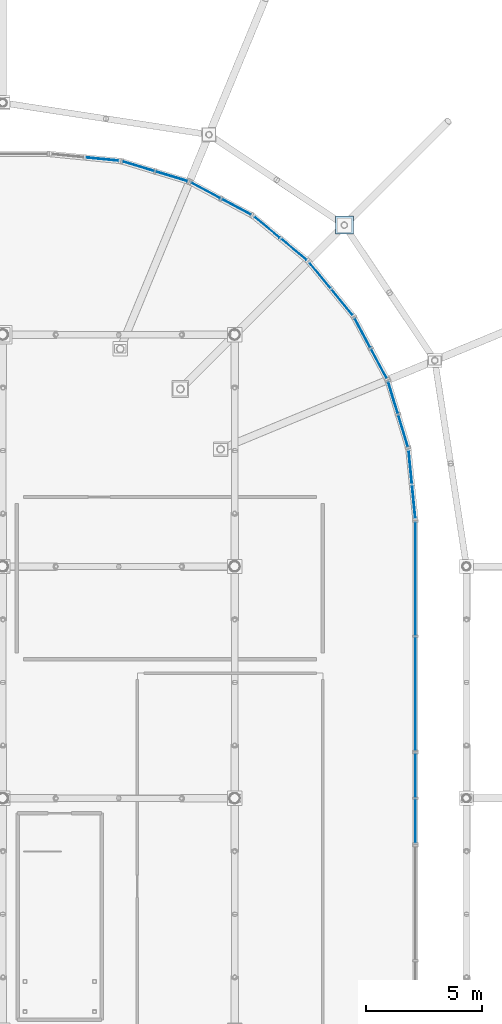
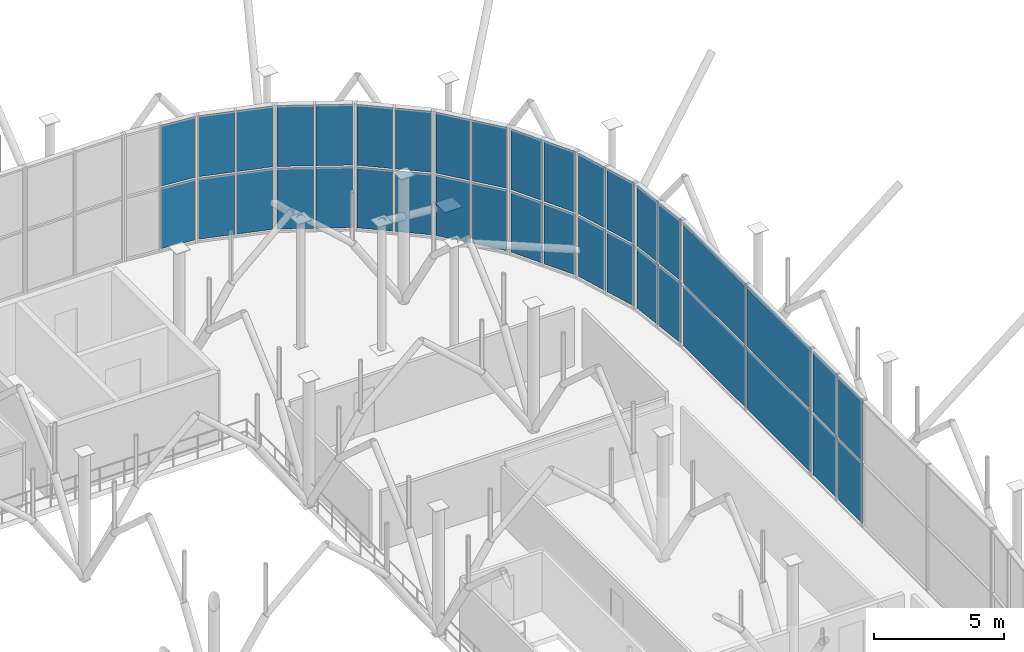
# One storey, part 91 of 109: 39 plates, 10 elements without a shape of their own.
"""IFC4 building model written with IfcOpenShell, lengths in metres."""

from ifc_helpers import new_model, si_unit, derived_unit, direction, frame, origin, origin_2d_with_axis, place, context, subcontext, project, spatial, rectangle, extrude, material, layer, layer_set, type_object, element, aggregate, save


model = new_model("IFC4")

# Units and contexts
model_context = context("Model", 3, precision=1e-05, world=origin(), true_north=direction((0.0, 1.0)))
body_context = subcontext(model_context, "Body", "Model", "MODEL_VIEW")
ifc_project = project(units=[si_unit("LENGTHUNIT", "METRE"), si_unit("AREAUNIT", "SQUARE_METRE"), si_unit("VOLUMEUNIT", "CUBIC_METRE"), si_unit("PLANEANGLEUNIT", "RADIAN"), si_unit("MASSUNIT", "GRAM", prefix="KILO"), derived_unit("THERMALTRANSMITTANCEUNIT", [(si_unit("POWERUNIT", "WATT"), 1), (si_unit("LENGTHUNIT", "METRE"), -2), (si_unit("THERMODYNAMICTEMPERATUREUNIT", "KELVIN"), -1)])], contexts=[model_context])

# Site, building, storey
site_placement = place(None, origin())
site = spatial("IfcSite", under=ifc_project, at=site_placement, CompositionType="ELEMENT")
building_placement = place(site_placement, origin())
building = spatial("IfcBuilding", under=site, at=building_placement, Name="Cinnabar Yard Market Hall", CompositionType="ELEMENT")
storey_placement = place(building_placement, frame((0.0, 0.0, 8.39990234375)))
storey = spatial("IfcBuildingStorey", under=building, at=storey_placement, Name="L02", CompositionType="ELEMENT", Elevation=8.39990234375)

# Curtain wall, plates
ifc_material_1 = material(Name="Anodised bronze aluminium curved-chord facade", Category="aluminium")
curtain_wall_type_1 = type_object("IfcCurtainWallType", Name="CW-CWC031x60", PredefinedType="NOTDEFINED", material=ifc_material_1)
curtain_wall_1_placement = place(storey_placement, origin())
curtain_wall_1 = element("IfcCurtainWall", 1, at=curtain_wall_1_placement, inside=storey, type_object=curtain_wall_type_1, Name="Corner NE Chord 1 L02", PredefinedType="NOTDEFINED")
ifc_material_2 = material(Name="Low-E laminated glass", Category="glass")
ifc_layer_1 = layer(ifc_material_2, 0.031982421875)
ifc_layer_set_1 = layer_set([ifc_layer_1], Name="Low-E laminated glass")
plate_type_1 = type_object("IfcPlateType", Name="CWP-GP141x286", PredefinedType="CURTAIN_PANEL", material=ifc_layer_set_1)
plate_1_placement = place(storey_placement, frame((163.721923828125, 56.79296875, 0.090087890625), z_axis=(0.0, 0.0, 1.0), x_axis=(-0.098020369342, 0.995184408637, 0.0)))
plate_1 = element("IfcPlate", 2, at=plate_1_placement, type_object=plate_type_1, Name="CWC031x60 panel 1.1", PredefinedType="CURTAIN_PANEL", context=body_context, shape_type="SweptSolid", body=[
    extrude(rectangle(XDim=1.41357421875, YDim=0.031982421875, at=origin_2d_with_axis()), origin(), (0.0, 0.0, 1.0), 2.85498046875),
])
plate_2_placement = place(storey_placement, frame((163.721923828125, 56.79296875, 3.03515625), z_axis=(0.0, 0.0, 1.0), x_axis=(-0.098020369342, 0.995184408637, 0.0)))
plate_2 = element("IfcPlate", 3, at=plate_2_placement, type_object=plate_type_1, Name="CWC031x60 panel 1.2", PredefinedType="CURTAIN_PANEL", context=body_context, shape_type="SweptSolid", body=[
    extrude(rectangle(XDim=1.41357421875, YDim=0.031982421875, at=origin_2d_with_axis()), origin(), (0.0, 0.0, 1.0), 2.85498046875),
])
plate_3_placement = place(storey_placement, frame((163.574462890625, 58.289306640625, 0.090087890625), z_axis=(0.0, 0.0, 1.0), x_axis=(-0.098020369342, 0.995184408637, 0.0)))
plate_3 = element("IfcPlate", 4, at=plate_3_placement, type_object=plate_type_1, Name="CWC031x60 panel 2.1", PredefinedType="CURTAIN_PANEL", context=body_context, shape_type="SweptSolid", body=[
    extrude(rectangle(XDim=1.41357421875, YDim=0.031982421875, at=origin_2d_with_axis()), origin(), (0.0, 0.0, 1.0), 2.85498046875),
])
plate_4_placement = place(storey_placement, frame((163.574462890625, 58.289306640625, 3.03515625), z_axis=(0.0, 0.0, 1.0), x_axis=(-0.098020369342, 0.995184408637, 0.0)))
plate_4 = element("IfcPlate", 5, at=plate_4_placement, type_object=plate_type_1, Name="CWC031x60 panel 2.2", PredefinedType="CURTAIN_PANEL", context=body_context, shape_type="SweptSolid", body=[
    extrude(rectangle(XDim=1.41357421875, YDim=0.031982421875, at=origin_2d_with_axis()), origin(), (0.0, 0.0, 1.0), 2.85498046875),
])
aggregate(curtain_wall_1, [plate_1, plate_2, plate_3, plate_4])

curtain_wall_2_placement = place(storey_placement, origin())
curtain_wall_2 = element("IfcCurtainWall", 6, at=curtain_wall_2_placement, inside=storey, type_object=curtain_wall_type_1, Name="Corner NE Chord 2 L02", PredefinedType="NOTDEFINED")
plate_5_placement = place(storey_placement, frame((163.26513671875, 59.844970703125, 0.090087890625), z_axis=(0.0, 0.0, 1.0), x_axis=(-0.290278891325, 0.956942090856, 0.0)))
plate_5 = element("IfcPlate", 7, at=plate_5_placement, type_object=plate_type_1, Name="CWC031x60 panel 1.1", PredefinedType="CURTAIN_PANEL", context=body_context, shape_type="SweptSolid", body=[
    extrude(rectangle(XDim=1.41357421875, YDim=0.031982421875, at=origin_2d_with_axis()), origin(), (0.0, 0.0, 1.0), 2.85498046875),
])
plate_6_placement = place(storey_placement, frame((163.26513671875, 59.844970703125, 3.03515625), z_axis=(0.0, 0.0, 1.0), x_axis=(-0.290278891325, 0.956942090856, 0.0)))
plate_6 = element("IfcPlate", 8, at=plate_6_placement, type_object=plate_type_1, Name="CWC031x60 panel 1.2", PredefinedType="CURTAIN_PANEL", context=body_context, shape_type="SweptSolid", body=[
    extrude(rectangle(XDim=1.41357421875, YDim=0.031982421875, at=origin_2d_with_axis()), origin(), (0.0, 0.0, 1.0), 2.85498046875),
])
plate_7_placement = place(storey_placement, frame((162.82861328125, 61.283935546875, 0.090087890625), z_axis=(0.0, 0.0, 1.0), x_axis=(-0.290278891325, 0.956942090856, 0.0)))
plate_7 = element("IfcPlate", 9, at=plate_7_placement, type_object=plate_type_1, Name="CWC031x60 panel 2.1", PredefinedType="CURTAIN_PANEL", context=body_context, shape_type="SweptSolid", body=[
    extrude(rectangle(XDim=1.41357421875, YDim=0.031982421875, at=origin_2d_with_axis()), origin(), (0.0, 0.0, 1.0), 2.85498046875),
])
plate_8_placement = place(storey_placement, frame((162.82861328125, 61.283935546875, 3.03515625), z_axis=(0.0, 0.0, 1.0), x_axis=(-0.290278891325, 0.956942090856, 0.0)))
plate_8 = element("IfcPlate", 10, at=plate_8_placement, type_object=plate_type_1, Name="CWC031x60 panel 2.2", PredefinedType="CURTAIN_PANEL", context=body_context, shape_type="SweptSolid", body=[
    extrude(rectangle(XDim=1.41357421875, YDim=0.031982421875, at=origin_2d_with_axis()), origin(), (0.0, 0.0, 1.0), 2.85498046875),
])
aggregate(curtain_wall_2, [plate_5, plate_6, plate_7, plate_8])

curtain_wall_3_placement = place(storey_placement, origin())
curtain_wall_3 = element("IfcCurtainWall", 11, at=curtain_wall_3_placement, inside=storey, type_object=curtain_wall_type_1, Name="Corner NE Chord 3 L02", PredefinedType="NOTDEFINED")
plate_9_placement = place(storey_placement, frame((162.2216796875, 62.7490234375, 0.090087890625), z_axis=(0.0, 0.0, 1.0), x_axis=(-0.471404114786, 0.881917320707, 0.0)))
plate_9 = element("IfcPlate", 12, at=plate_9_placement, type_object=plate_type_1, Name="CWC031x60 panel 1.1", PredefinedType="CURTAIN_PANEL", context=body_context, shape_type="SweptSolid", body=[
    extrude(rectangle(XDim=1.41357421875, YDim=0.031982421875, at=origin_2d_with_axis()), origin(), (0.0, 0.0, 1.0), 2.85498046875),
])
plate_10_placement = place(storey_placement, frame((162.2216796875, 62.7490234375, 3.03515625), z_axis=(0.0, 0.0, 1.0), x_axis=(-0.471404114786, 0.881917320707, 0.0)))
plate_10 = element("IfcPlate", 13, at=plate_10_placement, type_object=plate_type_1, Name="CWC031x60 panel 1.2", PredefinedType="CURTAIN_PANEL", context=body_context, shape_type="SweptSolid", body=[
    extrude(rectangle(XDim=1.41357421875, YDim=0.031982421875, at=origin_2d_with_axis()), origin(), (0.0, 0.0, 1.0), 2.85498046875),
])
plate_11_placement = place(storey_placement, frame((161.512939453125, 64.0751953125, 0.090087890625), z_axis=(0.0, 0.0, 1.0), x_axis=(-0.471404114786, 0.881917320707, 0.0)))
plate_11 = element("IfcPlate", 14, at=plate_11_placement, type_object=plate_type_1, Name="CWC031x60 panel 2.1", PredefinedType="CURTAIN_PANEL", context=body_context, shape_type="SweptSolid", body=[
    extrude(rectangle(XDim=1.41357421875, YDim=0.031982421875, at=origin_2d_with_axis()), origin(), (0.0, 0.0, 1.0), 2.85498046875),
])
plate_12_placement = place(storey_placement, frame((161.512939453125, 64.0751953125, 3.03515625), z_axis=(0.0, 0.0, 1.0), x_axis=(-0.471404114786, 0.881917320707, 0.0)))
plate_12 = element("IfcPlate", 15, at=plate_12_placement, type_object=plate_type_1, Name="CWC031x60 panel 2.2", PredefinedType="CURTAIN_PANEL", context=body_context, shape_type="SweptSolid", body=[
    extrude(rectangle(XDim=1.41357421875, YDim=0.031982421875, at=origin_2d_with_axis()), origin(), (0.0, 0.0, 1.0), 2.85498046875),
])
aggregate(curtain_wall_3, [plate_9, plate_10, plate_11, plate_12])

curtain_wall_4_placement = place(storey_placement, origin())
curtain_wall_4 = element("IfcCurtainWall", 16, at=curtain_wall_4_placement, inside=storey, type_object=curtain_wall_type_1, Name="Corner NE Chord 4 L02", PredefinedType="NOTDEFINED")
plate_13_placement = place(storey_placement, frame((160.631591796875, 65.39404296875, 0.090087890625), z_axis=(0.0, 0.0, 1.0), x_axis=(-0.634383400924, 0.773018564222, 0.0)))
plate_13 = element("IfcPlate", 17, at=plate_13_placement, type_object=plate_type_1, Name="CWC031x60 panel 1.1", PredefinedType="CURTAIN_PANEL", context=body_context, shape_type="SweptSolid", body=[
    extrude(rectangle(XDim=1.41357421875, YDim=0.031982421875, at=origin_2d_with_axis()), origin(), (0.0, 0.0, 1.0), 2.85498046875),
])
plate_14_placement = place(storey_placement, frame((160.631591796875, 65.39404296875, 3.03515625), z_axis=(0.0, 0.0, 1.0), x_axis=(-0.634383400924, 0.773018564222, 0.0)))
plate_14 = element("IfcPlate", 18, at=plate_14_placement, type_object=plate_type_1, Name="CWC031x60 panel 1.2", PredefinedType="CURTAIN_PANEL", context=body_context, shape_type="SweptSolid", body=[
    extrude(rectangle(XDim=1.41357421875, YDim=0.031982421875, at=origin_2d_with_axis()), origin(), (0.0, 0.0, 1.0), 2.85498046875),
])
plate_15_placement = place(storey_placement, frame((159.677734375, 66.556396484375, 0.090087890625), z_axis=(0.0, 0.0, 1.0), x_axis=(-0.634383400924, 0.773018564222, 0.0)))
plate_15 = element("IfcPlate", 19, at=plate_15_placement, type_object=plate_type_1, Name="CWC031x60 panel 2.1", PredefinedType="CURTAIN_PANEL", context=body_context, shape_type="SweptSolid", body=[
    extrude(rectangle(XDim=1.41357421875, YDim=0.031982421875, at=origin_2d_with_axis()), origin(), (0.0, 0.0, 1.0), 2.85498046875),
])
plate_16_placement = place(storey_placement, frame((159.677734375, 66.556396484375, 3.03515625), z_axis=(0.0, 0.0, 1.0), x_axis=(-0.634383400924, 0.773018564222, 0.0)))
plate_16 = element("IfcPlate", 20, at=plate_16_placement, type_object=plate_type_1, Name="CWC031x60 panel 2.2", PredefinedType="CURTAIN_PANEL", context=body_context, shape_type="SweptSolid", body=[
    extrude(rectangle(XDim=1.41357421875, YDim=0.031982421875, at=origin_2d_with_axis()), origin(), (0.0, 0.0, 1.0), 2.85498046875),
])
aggregate(curtain_wall_4, [plate_13, plate_14, plate_15, plate_16])

curtain_wall_5_placement = place(storey_placement, origin())
curtain_wall_5 = element("IfcCurtainWall", 21, at=curtain_wall_5_placement, inside=storey, type_object=curtain_wall_type_1, Name="Corner NE Chord 5 L02", PredefinedType="NOTDEFINED")
plate_17_placement = place(storey_placement, frame((158.556396484375, 67.677734375, 0.090087890625), z_axis=(0.0, 0.0, 1.0), x_axis=(-0.773018564222, 0.634383400924, 0.0)))
plate_17 = element("IfcPlate", 22, at=plate_17_placement, type_object=plate_type_1, Name="CWC031x60 panel 1.1", PredefinedType="CURTAIN_PANEL", context=body_context, shape_type="SweptSolid", body=[
    extrude(rectangle(XDim=1.41357421875, YDim=0.031982421875, at=origin_2d_with_axis()), origin(), (0.0, 0.0, 1.0), 2.85498046875),
])
plate_18_placement = place(storey_placement, frame((158.556396484375, 67.677734375, 3.03515625), z_axis=(0.0, 0.0, 1.0), x_axis=(-0.773018564222, 0.634383400924, 0.0)))
plate_18 = element("IfcPlate", 23, at=plate_18_placement, type_object=plate_type_1, Name="CWC031x60 panel 1.2", PredefinedType="CURTAIN_PANEL", context=body_context, shape_type="SweptSolid", body=[
    extrude(rectangle(XDim=1.41357421875, YDim=0.031982421875, at=origin_2d_with_axis()), origin(), (0.0, 0.0, 1.0), 2.85498046875),
])
plate_19_placement = place(storey_placement, frame((157.39404296875, 68.631591796875, 0.090087890625), z_axis=(0.0, 0.0, 1.0), x_axis=(-0.773018564222, 0.634383400924, 0.0)))
plate_19 = element("IfcPlate", 24, at=plate_19_placement, type_object=plate_type_1, Name="CWC031x60 panel 2.1", PredefinedType="CURTAIN_PANEL", context=body_context, shape_type="SweptSolid", body=[
    extrude(rectangle(XDim=1.41357421875, YDim=0.031982421875, at=origin_2d_with_axis()), origin(), (0.0, 0.0, 1.0), 2.85498046875),
])
plate_20_placement = place(storey_placement, frame((157.39404296875, 68.631591796875, 3.03515625), z_axis=(0.0, 0.0, 1.0), x_axis=(-0.773018564222, 0.634383400924, 0.0)))
plate_20 = element("IfcPlate", 25, at=plate_20_placement, type_object=plate_type_1, Name="CWC031x60 panel 2.2", PredefinedType="CURTAIN_PANEL", context=body_context, shape_type="SweptSolid", body=[
    extrude(rectangle(XDim=1.41357421875, YDim=0.031982421875, at=origin_2d_with_axis()), origin(), (0.0, 0.0, 1.0), 2.85498046875),
])
aggregate(curtain_wall_5, [plate_17, plate_18, plate_19, plate_20])

curtain_wall_6_placement = place(storey_placement, origin())
curtain_wall_6 = element("IfcCurtainWall", 26, at=curtain_wall_6_placement, inside=storey, type_object=curtain_wall_type_1, Name="Corner NE Chord 6 L02", PredefinedType="NOTDEFINED")
plate_21_placement = place(storey_placement, frame((156.0751953125, 69.512939453125, 0.090087890625), z_axis=(0.0, 0.0, 1.0), x_axis=(-0.881917320707, 0.471404114786, 0.0)))
plate_21 = element("IfcPlate", 27, at=plate_21_placement, type_object=plate_type_1, Name="CWC031x60 panel 1.1", PredefinedType="CURTAIN_PANEL", context=body_context, shape_type="SweptSolid", body=[
    extrude(rectangle(XDim=1.41357421875, YDim=0.031982421875, at=origin_2d_with_axis()), origin(), (0.0, 0.0, 1.0), 2.85498046875),
])
plate_22_placement = place(storey_placement, frame((156.0751953125, 69.512939453125, 3.03515625), z_axis=(0.0, 0.0, 1.0), x_axis=(-0.881917320707, 0.471404114786, 0.0)))
plate_22 = element("IfcPlate", 28, at=plate_22_placement, type_object=plate_type_1, Name="CWC031x60 panel 1.2", PredefinedType="CURTAIN_PANEL", context=body_context, shape_type="SweptSolid", body=[
    extrude(rectangle(XDim=1.41357421875, YDim=0.031982421875, at=origin_2d_with_axis()), origin(), (0.0, 0.0, 1.0), 2.85498046875),
])
plate_23_placement = place(storey_placement, frame((154.7490234375, 70.2216796875, 0.090087890625), z_axis=(0.0, 0.0, 1.0), x_axis=(-0.881917320707, 0.471404114786, 0.0)))
plate_23 = element("IfcPlate", 29, at=plate_23_placement, type_object=plate_type_1, Name="CWC031x60 panel 2.1", PredefinedType="CURTAIN_PANEL", context=body_context, shape_type="SweptSolid", body=[
    extrude(rectangle(XDim=1.41357421875, YDim=0.031982421875, at=origin_2d_with_axis()), origin(), (0.0, 0.0, 1.0), 2.85498046875),
])
plate_24_placement = place(storey_placement, frame((154.7490234375, 70.2216796875, 3.03515625), z_axis=(0.0, 0.0, 1.0), x_axis=(-0.881917320707, 0.471404114786, 0.0)))
plate_24 = element("IfcPlate", 30, at=plate_24_placement, type_object=plate_type_1, Name="CWC031x60 panel 2.2", PredefinedType="CURTAIN_PANEL", context=body_context, shape_type="SweptSolid", body=[
    extrude(rectangle(XDim=1.41357421875, YDim=0.031982421875, at=origin_2d_with_axis()), origin(), (0.0, 0.0, 1.0), 2.85498046875),
])
aggregate(curtain_wall_6, [plate_21, plate_22, plate_23, plate_24])

curtain_wall_7_placement = place(storey_placement, origin())
curtain_wall_7 = element("IfcCurtainWall", 31, at=curtain_wall_7_placement, inside=storey, type_object=curtain_wall_type_1, Name="Corner NE Chord 7 L02", PredefinedType="NOTDEFINED")
plate_25_placement = place(storey_placement, frame((153.283935546875, 70.82861328125, 0.090087890625), z_axis=(0.0, 0.0, 1.0), x_axis=(-0.956942090856, 0.290278891325, 0.0)))
plate_25 = element("IfcPlate", 32, at=plate_25_placement, type_object=plate_type_1, Name="CWC031x60 panel 1.1", PredefinedType="CURTAIN_PANEL", context=body_context, shape_type="SweptSolid", body=[
    extrude(rectangle(XDim=1.41357421875, YDim=0.031982421875, at=origin_2d_with_axis()), origin(), (0.0, 0.0, 1.0), 2.85498046875),
])
plate_26_placement = place(storey_placement, frame((153.283935546875, 70.82861328125, 3.03515625), z_axis=(0.0, 0.0, 1.0), x_axis=(-0.956942090856, 0.290278891325, 0.0)))
plate_26 = element("IfcPlate", 33, at=plate_26_placement, type_object=plate_type_1, Name="CWC031x60 panel 1.2", PredefinedType="CURTAIN_PANEL", context=body_context, shape_type="SweptSolid", body=[
    extrude(rectangle(XDim=1.41357421875, YDim=0.031982421875, at=origin_2d_with_axis()), origin(), (0.0, 0.0, 1.0), 2.85498046875),
])
plate_27_placement = place(storey_placement, frame((151.844970703125, 71.26513671875, 0.090087890625), z_axis=(0.0, 0.0, 1.0), x_axis=(-0.956942090856, 0.290278891325, 0.0)))
plate_27 = element("IfcPlate", 34, at=plate_27_placement, type_object=plate_type_1, Name="CWC031x60 panel 2.1", PredefinedType="CURTAIN_PANEL", context=body_context, shape_type="SweptSolid", body=[
    extrude(rectangle(XDim=1.41357421875, YDim=0.031982421875, at=origin_2d_with_axis()), origin(), (0.0, 0.0, 1.0), 2.85498046875),
])
plate_28_placement = place(storey_placement, frame((151.844970703125, 71.26513671875, 3.03515625), z_axis=(0.0, 0.0, 1.0), x_axis=(-0.956942090856, 0.290278891325, 0.0)))
plate_28 = element("IfcPlate", 35, at=plate_28_placement, type_object=plate_type_1, Name="CWC031x60 panel 2.2", PredefinedType="CURTAIN_PANEL", context=body_context, shape_type="SweptSolid", body=[
    extrude(rectangle(XDim=1.41357421875, YDim=0.031982421875, at=origin_2d_with_axis()), origin(), (0.0, 0.0, 1.0), 2.85498046875),
])
aggregate(curtain_wall_7, [plate_25, plate_26, plate_27, plate_28])

curtain_wall_8_placement = place(storey_placement, origin())
curtain_wall_8 = element("IfcCurtainWall", 36, at=curtain_wall_8_placement, inside=storey, type_object=curtain_wall_type_1, Name="Corner NE Chord 8 L02", PredefinedType="NOTDEFINED")
plate_29_placement = place(storey_placement, frame((150.289306640625, 71.574462890625, 0.090087890625), z_axis=(0.0, 0.0, 1.0), x_axis=(-0.995184408637, 0.098020369342, 0.0)))
plate_29 = element("IfcPlate", 37, at=plate_29_placement, type_object=plate_type_1, Name="CWC031x60 panel 1.1", PredefinedType="CURTAIN_PANEL", context=body_context, shape_type="SweptSolid", body=[
    extrude(rectangle(XDim=1.41357421875, YDim=0.031982421875, at=origin_2d_with_axis()), origin(), (0.0, 0.0, 1.0), 2.85498046875),
])
plate_30_placement = place(storey_placement, frame((150.289306640625, 71.574462890625, 3.03515625), z_axis=(0.0, 0.0, 1.0), x_axis=(-0.995184408637, 0.098020369342, 0.0)))
plate_30 = element("IfcPlate", 38, at=plate_30_placement, type_object=plate_type_1, Name="CWC031x60 panel 1.2", PredefinedType="CURTAIN_PANEL", context=body_context, shape_type="SweptSolid", body=[
    extrude(rectangle(XDim=1.41357421875, YDim=0.031982421875, at=origin_2d_with_axis()), origin(), (0.0, 0.0, 1.0), 2.85498046875),
])
aggregate(curtain_wall_8, [plate_29, plate_30])

ifc_material_3 = material(Name="Anodised bronze aluminium and low-E glass", Category="aluminium")
curtain_wall_type_2 = type_object("IfcCurtainWallType", Name="CW-CWH040x60", PredefinedType="NOTDEFINED", material=ifc_material_3)
curtain_wall_9_placement = place(storey_placement, origin())
curtain_wall_9 = element("IfcCurtainWall", 39, at=curtain_wall_9_placement, inside=storey, type_object=curtain_wall_type_2, Name="Market Hall East Upper Clerestory WPT", PredefinedType="NOTDEFINED")
ifc_layer_2 = layer(ifc_material_2, 0.031982421875)
ifc_layer_set_2 = layer_set([ifc_layer_2], Name="Low-E laminated glass")
plate_type_2 = type_object("IfcPlateType", Name="CWP-GP188x287", PredefinedType="CURTAIN_PANEL", material=ifc_layer_set_2)
plate_31_placement = place(storey_placement, frame((163.800048828125, 43.02001953125, 0.080078125), z_axis=(0.0, 0.0, 1.0), x_axis=(0.0, 1.0, 0.0)))
plate_31 = element("IfcPlate", 40, at=plate_31_placement, type_object=plate_type_2, Name="CWH040x60 panel 1.1", PredefinedType="CURTAIN_PANEL", context=body_context, shape_type="SweptSolid", body=[
    extrude(rectangle(XDim=1.8798828125, YDim=0.031982421875, at=origin_2d_with_axis()), origin(), (0.0, 0.0, 1.0), 2.8701171875),
])
plate_32_placement = place(storey_placement, frame((163.800048828125, 43.02001953125, 3.030029296875), z_axis=(0.0, 0.0, 1.0), x_axis=(0.0, 1.0, 0.0)))
plate_32 = element("IfcPlate", 41, at=plate_32_placement, type_object=plate_type_2, Name="CWH040x60 panel 1.2", PredefinedType="CURTAIN_PANEL", context=body_context, shape_type="SweptSolid", body=[
    extrude(rectangle(XDim=1.8798828125, YDim=0.031982421875, at=origin_2d_with_axis()), origin(), (0.0, 0.0, 1.0), 2.8701171875),
])
plate_33_placement = place(storey_placement, frame((163.800048828125, 44.97998046875, 0.080078125), z_axis=(0.0, 0.0, 1.0), x_axis=(0.0, 1.0, 0.0)))
plate_33 = element("IfcPlate", 42, at=plate_33_placement, type_object=plate_type_2, Name="CWH040x60 panel 2.1", PredefinedType="CURTAIN_PANEL", context=body_context, shape_type="SweptSolid", body=[
    extrude(rectangle(XDim=1.8798828125, YDim=0.031982421875, at=origin_2d_with_axis()), origin(), (0.0, 0.0, 1.0), 2.8701171875),
])
plate_34_placement = place(storey_placement, frame((163.800048828125, 44.97998046875, 3.030029296875), z_axis=(0.0, 0.0, 1.0), x_axis=(0.0, 1.0, 0.0)))
plate_34 = element("IfcPlate", 43, at=plate_34_placement, type_object=plate_type_2, Name="CWH040x60 panel 2.2", PredefinedType="CURTAIN_PANEL", context=body_context, shape_type="SweptSolid", body=[
    extrude(rectangle(XDim=1.8798828125, YDim=0.031982421875, at=origin_2d_with_axis()), origin(), (0.0, 0.0, 1.0), 2.8701171875),
])
aggregate(curtain_wall_9, [plate_31, plate_32, plate_33, plate_34])

curtain_wall_type_3 = type_object("IfcCurtainWallType", Name="CW-CWH100x60", PredefinedType="NOTDEFINED", material=ifc_material_3)
curtain_wall_10_placement = place(storey_placement, origin())
curtain_wall_10 = element("IfcCurtainWall", 44, at=curtain_wall_10_placement, inside=storey, type_object=curtain_wall_type_3, Name="Market Hall East Upper Clerestory W2", PredefinedType="NOTDEFINED")
ifc_layer_3 = layer(ifc_material_2, 0.031982421875)
ifc_layer_set_3 = layer_set([ifc_layer_3], Name="Low-E laminated glass")
plate_type_3 = type_object("IfcPlateType", Name="CWP-GP488x287", PredefinedType="CURTAIN_PANEL", material=ifc_layer_set_3)
plate_35_placement = place(storey_placement, frame((163.800048828125, 48.52001953125, 0.080078125), z_axis=(0.0, 0.0, 1.0), x_axis=(0.0, 1.0, 0.0)))
plate_35 = element("IfcPlate", 45, at=plate_35_placement, type_object=plate_type_3, Name="CWH100x60 panel 1.1", PredefinedType="CURTAIN_PANEL", context=body_context, shape_type="SweptSolid", body=[
    extrude(rectangle(XDim=4.8798828125, YDim=0.031982421875, at=origin_2d_with_axis()), origin(), (0.0, 0.0, 1.0), 2.8701171875),
])
plate_36_placement = place(storey_placement, frame((163.800048828125, 48.52001953125, 3.030029296875), z_axis=(0.0, 0.0, 1.0), x_axis=(0.0, 1.0, 0.0)))
plate_36 = element("IfcPlate", 46, at=plate_36_placement, type_object=plate_type_3, Name="CWH100x60 panel 1.2", PredefinedType="CURTAIN_PANEL", context=body_context, shape_type="SweptSolid", body=[
    extrude(rectangle(XDim=4.8798828125, YDim=0.031982421875, at=origin_2d_with_axis()), origin(), (0.0, 0.0, 1.0), 2.8701171875),
])
plate_37_placement = place(storey_placement, frame((163.800048828125, 53.47998046875, 0.080078125), z_axis=(0.0, 0.0, 1.0), x_axis=(0.0, 1.0, 0.0)))
plate_37 = element("IfcPlate", 47, at=plate_37_placement, type_object=plate_type_3, Name="CWH100x60 panel 2.1", PredefinedType="CURTAIN_PANEL", context=body_context, shape_type="SweptSolid", body=[
    extrude(rectangle(XDim=4.8798828125, YDim=0.031982421875, at=origin_2d_with_axis()), origin(), (0.0, 0.0, 1.0), 2.8701171875),
])
plate_38_placement = place(storey_placement, frame((163.800048828125, 53.47998046875, 3.030029296875), z_axis=(0.0, 0.0, 1.0), x_axis=(0.0, 1.0, 0.0)))
plate_38 = element("IfcPlate", 48, at=plate_38_placement, type_object=plate_type_3, Name="CWH100x60 panel 2.2", PredefinedType="CURTAIN_PANEL", context=body_context, shape_type="SweptSolid", body=[
    extrude(rectangle(XDim=4.8798828125, YDim=0.031982421875, at=origin_2d_with_axis()), origin(), (0.0, 0.0, 1.0), 2.8701171875),
])
aggregate(curtain_wall_10, [plate_35, plate_36, plate_37, plate_38])

# Plate
ifc_material_4 = material(Name="Steel Grade 350 (350 MPa)", Category="steel")
ifc_layer_4 = layer(ifc_material_4, 0.031982421875)
ifc_layer_set_4 = layer_set([ifc_layer_4], Name="Steel Grade 350 (350 MPa)")
plate_type_4 = type_object("IfcPlateType", Name="PL-NP10E", PredefinedType="SHEET", material=ifc_layer_set_4)
plate_39_placement = place(storey_placement, frame((160.727783203125, 68.727783203125, -0.01611328125), z_axis=(0.0, 0.0, 1.0), x_axis=(1.0, 0.0, 0.0)))
element("IfcPlate", 49, at=plate_39_placement, inside=storey, type_object=plate_type_4, Name="Tree Collar Plate V1C-NE4", PredefinedType="SHEET", context=body_context, shape_type="SweptSolid", body=[
    extrude(rectangle(XDim=0.780029296875, YDim=0.780029296875, at=origin_2d_with_axis()), origin(), (0.0, 0.0, 1.0), 0.031982421875),
])

save(model, "model.ifc")
